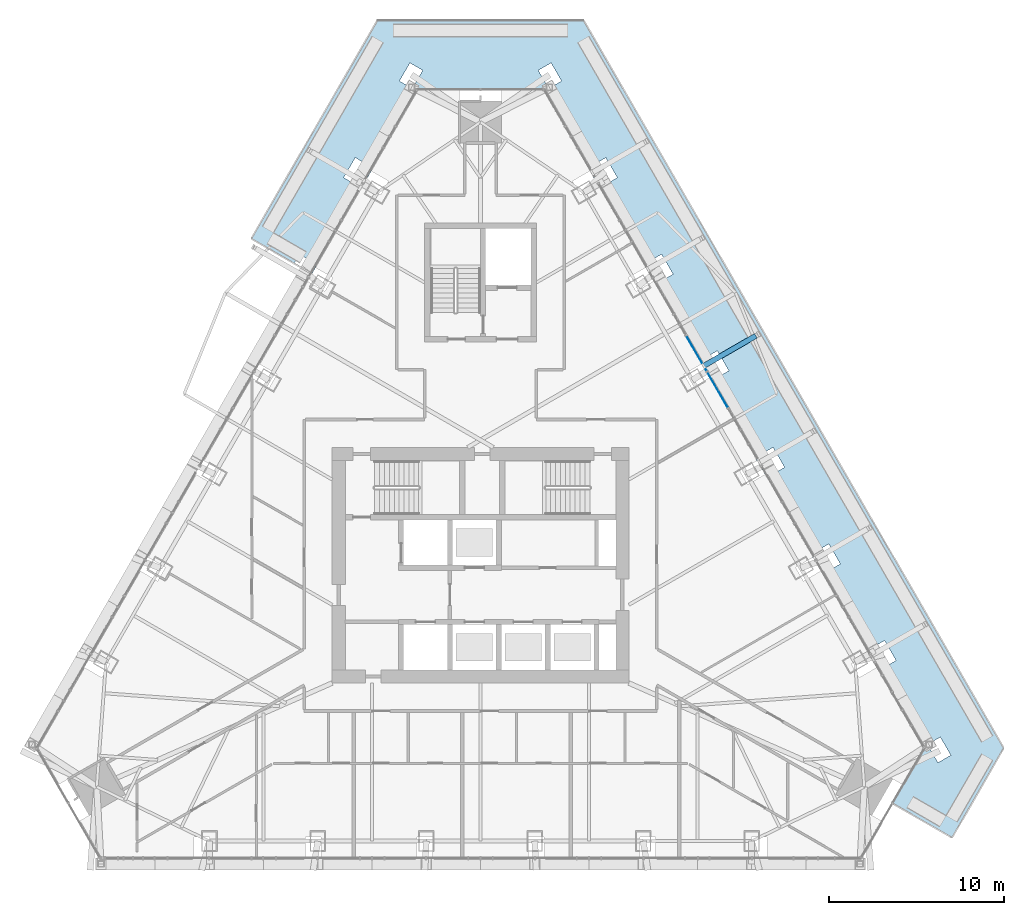
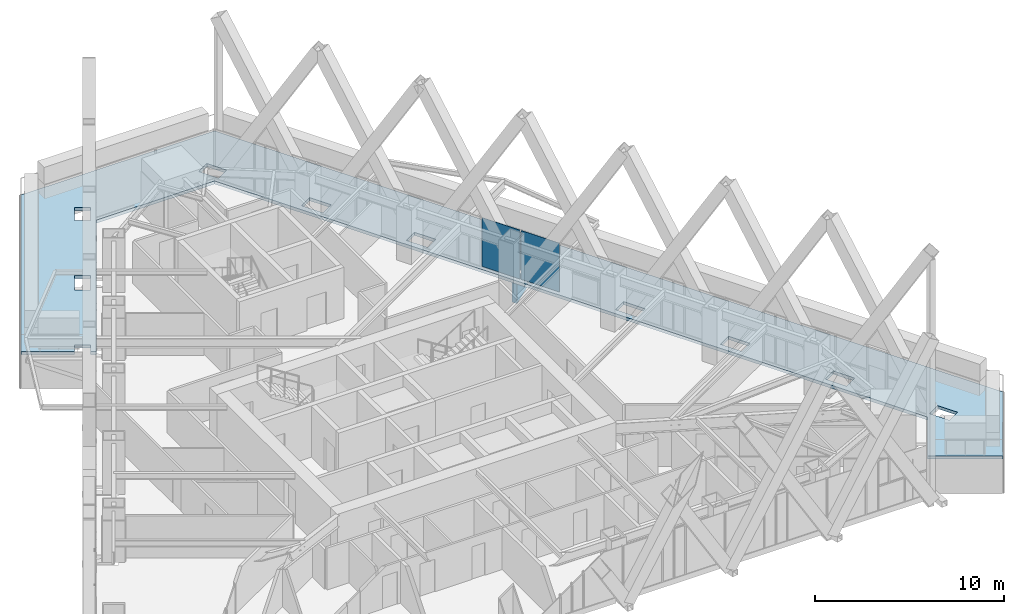
# One storey, part 13 of 23: 3 plates, 1 slab, 1 element without a shape of its own.
"""IFC4 building model written with IfcOpenShell, lengths in metres."""

from ifc_helpers import new_model, si_unit, direction, frame, origin, place, context, subcontext, project, spatial, polyline, outline, extrude, material, layer, layer_set, type_object, element, aggregate, save


model = new_model("IFC4")

# Units and contexts
model_context = context("Model", 3, precision=1e-05, world=origin(), true_north=direction((0.0, 1.0)))
body_context = subcontext(model_context, "Body", "Model", "MODEL_VIEW")
ifc_project = project(units=[si_unit("LENGTHUNIT", "METRE"), si_unit("AREAUNIT", "SQUARE_METRE"), si_unit("VOLUMEUNIT", "CUBIC_METRE"), si_unit("PLANEANGLEUNIT", "RADIAN"), si_unit("MASSUNIT", "GRAM", prefix="KILO")], contexts=[model_context])

# Site, building, storey
site_placement = place(None, origin())
site = spatial("IfcSite", under=ifc_project, at=site_placement, CompositionType="ELEMENT")
building_placement = place(site_placement, origin())
building = spatial("IfcBuilding", under=site, at=building_placement, Name="Firuza Gate Tower and Library", CompositionType="ELEMENT")
storey_placement = place(building_placement, frame((0.0, 0.0, 291.60009765625)))
storey = spatial("IfcBuildingStorey", under=building, at=storey_placement, Name="L70", CompositionType="ELEMENT", Elevation=291.60009765625)

# Curtain wall, plates
ifc_material_1 = material(Name="Aluminium 6063-T6", Category="aluminium")
ifc_layer_1 = layer(ifc_material_1, 0.14990234375)
ifc_layer_set_1 = layer_set([ifc_layer_1], Name="Unitised curtain wall, residences")
curtain_wall_type = type_object("IfcCurtainWallType", Name="Unitised curtain wall, residences", PredefinedType="NOTDEFINED", material=ifc_layer_set_1)
curtain_wall_placement = place(storey_placement, origin())
curtain_wall = element("IfcCurtainWall", 1, at=curtain_wall_placement, inside=storey, type_object=curtain_wall_type, Name="CW3 L70 E face", PredefinedType="NOTDEFINED")
ifc_material_2 = material(Name="Glazed ceramic tile")
ifc_layer_2 = layer(ifc_material_2, 0.030029296875)
ifc_layer_set_2 = layer_set([ifc_layer_2], Name="Opaque ceramic panel, residences")
plate_type_1 = type_object("IfcPlateType", Name="Opaque ceramic panel, residences", PredefinedType="CURTAIN_PANEL", material=ifc_layer_set_2)
plate_1_placement = place(storey_placement, frame((89.18017578125, 84.0439453125, 0.14990234375), z_axis=(0.866023347809, 0.500003561037, 0.0), x_axis=(-0.500003561037, 0.866023347809, 0.0)))
plate_1 = element("IfcPlate", 2, at=plate_1_placement, type_object=plate_type_1, Name="Opaque ceramic panel", PredefinedType="CURTAIN_PANEL", context=body_context, shape_type="SweptSolid", body=[
    extrude(outline(polyline([(0.0, 0.0), (2.330549807902016, 0.0), (2.330549807902016, 3.14990234375), (0.0, 3.14990234375), (0.0, 0.0)])), origin(), (0.0, 0.0, -1.0), 0.030029296875),
])
plate_2_placement = place(storey_placement, frame((87.974853515625, 86.131591796875, 0.14990234375), z_axis=(0.866031268329, 0.499989842173, 0.0), x_axis=(-0.499989842173, 0.866031268329, 0.0)))
plate_2 = element("IfcPlate", 3, at=plate_2_placement, type_object=plate_type_1, Name="Opaque ceramic panel", PredefinedType="CURTAIN_PANEL", context=body_context, shape_type="SweptSolid", body=[
    extrude(outline(polyline([(0.0, 0.0), (2.3184064749454203, 0.0), (2.3184064749454203, 3.14990234375), (0.0, 3.14990234375), (0.0, 0.0)])), origin(), (0.0, 0.0, -1.0), 0.030029296875),
])
aggregate(curtain_wall, [plate_1, plate_2])

# Slab
ifc_material_3 = material(Name="Concrete C40/50", Category="concrete")
ifc_layer_3 = layer(ifc_material_3, 0.199951171875)
ifc_layer_set_3 = layer_set([ifc_layer_3], Name="Planter tray slab 200 C40/50")
slab_type = type_object("IfcSlabType", Name="Planter tray slab 200 C40/50", PredefinedType="FLOOR", material=ifc_layer_set_3)
slab_placement = place(storey_placement, frame((0.0, 0.0, -0.2001953125)))
element("IfcSlab", 4, at=slab_placement, inside=storey, type_object=slab_type, Name="Planter tray L70 band 8", PredefinedType="FLOOR", context=body_context, shape_type="SweptSolid", body=[
    extrude(outline(polyline([(61.886962890625, 93.71240234375), (64.32861328125, 92.302734375), (64.626708984375, 92.81884765625), (65.36279296875, 92.393798828125), (65.302001953125, 92.288330078125), (65.302001953125, 92.288330078125), (65.064697265625, 91.877685546875), (65.35107421875, 91.71240234375), (71.39990234375, 102.189453125), (78.60009765625, 102.189453125), (100.3466796875, 64.52294921875), (98.546630859375, 61.4052734375), (102.0107421875, 59.4052734375), (104.965576171875, 64.52294921875), (80.909423828125, 106.189453125), (69.090576171875, 106.189453125), (61.886962890625, 93.71240234375)]), holes=[polyline([(67.22119140625, 97.31298828125), (67.22119140625, 97.31298828125), (67.8212890625, 98.35205078125), (68.557373046875, 97.92724609375), (68.49658203125, 97.82177734375), (68.49658203125, 97.82177734375), (67.896484375, 96.782470703125), (67.160400390625, 97.20751953125), (67.22119140625, 97.31298828125)]), polyline([(81.50341796875, 97.82177734375), (81.442626953125, 97.92724609375), (82.1787109375, 98.35205078125), (82.77880859375, 97.31298828125), (82.77880859375, 97.31298828125), (82.839599609375, 97.20751953125), (82.103515625, 96.782470703125), (81.50341796875, 97.82177734375), (81.50341796875, 97.82177734375)]), polyline([(70.955078125, 103.780029296875), (71.691162109375, 103.35498046875), (71.09130859375, 102.31591796875), (70.355224609375, 102.74072265625), (70.955078125, 103.780029296875)]), polyline([(79.644775390625, 102.74072265625), (78.90869140625, 102.31591796875), (78.308837890625, 103.35498046875), (79.044921875, 103.780029296875), (79.644775390625, 102.74072265625)]), polyline([(101.94677734375, 64.113037109375), (101.210693359375, 63.68798828125), (100.610595703125, 64.727294921875), (101.3466796875, 65.152099609375), (101.94677734375, 64.113037109375)]), polyline([(97.416015625, 70.260498046875), (98.152099609375, 70.685546875), (98.751953125, 69.646240234375), (98.751953125, 69.646240234375), (98.81298828125, 69.540771484375), (98.07666015625, 69.115966796875), (97.476806640625, 70.155029296875), (97.476806640625, 70.155029296875), (97.416015625, 70.260498046875)]), polyline([(94.22119140625, 75.7939453125), (94.957275390625, 76.21875), (95.557373046875, 75.1796875), (95.557373046875, 75.1796875), (95.6181640625, 75.07421875), (94.882080078125, 74.649169921875), (94.2822265625, 75.6884765625), (94.2822265625, 75.6884765625), (94.22119140625, 75.7939453125)]), polyline([(91.08740234375, 81.2216796875), (91.026611328125, 81.3271484375), (91.7626953125, 81.752197265625), (92.36279296875, 80.712890625), (92.36279296875, 80.712890625), (92.423583984375, 80.607421875), (91.6875, 80.1826171875), (91.08740234375, 81.2216796875), (91.08740234375, 81.2216796875)]), polyline([(88.568115234375, 87.285400390625), (89.16796875, 86.246337890625), (89.16796875, 86.246337890625), (89.22900390625, 86.140869140625), (88.49267578125, 85.7158203125), (87.892822265625, 86.755126953125), (87.892822265625, 86.755126953125), (87.83203125, 86.860595703125), (88.568115234375, 87.285400390625)]), polyline([(84.63720703125, 92.393798828125), (85.373291015625, 92.81884765625), (85.973388671875, 91.779541015625), (85.973388671875, 91.779541015625), (86.0341796875, 91.674072265625), (85.298095703125, 91.249267578125), (84.697998046875, 92.288330078125), (84.697998046875, 92.288330078125), (84.63720703125, 92.393798828125)])]), origin(), (0.0, 0.0, 1.0), 0.2001953125),
])

# Plate
ifc_material_4 = material(Name="Steel S355", Category="steel")
ifc_layer_4 = layer(ifc_material_4, 0.300048828125)
ifc_layer_set_4 = layer_set([ifc_layer_4], Name="Tray bracket web 300 Steel S355")
plate_type_2 = type_object("IfcPlateType", Name="Tray bracket web 300 Steel S355", PredefinedType="SHEET", material=ifc_layer_set_4)
plate_3_placement = place(storey_placement, frame((87.72998046875, 86.55810546875, -0.2001953125), z_axis=(-0.500028509433, 0.86600894323, 0.0), x_axis=(0.86600894323, 0.500028509433, 0.0)))
element("IfcPlate", 5, at=plate_3_placement, inside=storey, type_object=plate_type_2, Name="Tray bracket web L70 col:L69:E4", PredefinedType="SHEET", context=body_context, shape_type="SweptSolid", body=[
    extrude(outline(polyline([(0.0, 0.0), (3.4294919542601163, 0.0), (0.0, 1.333984375), (0.0, 0.0)])), origin(), (0.0, 0.0, -1.0), 0.300048828125),
])

save(model, "model.ifc")
